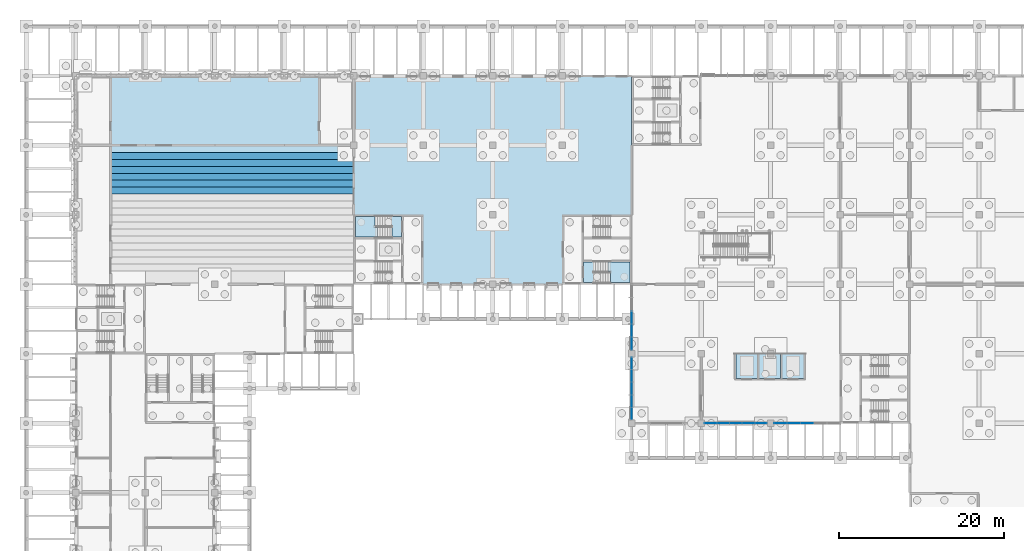
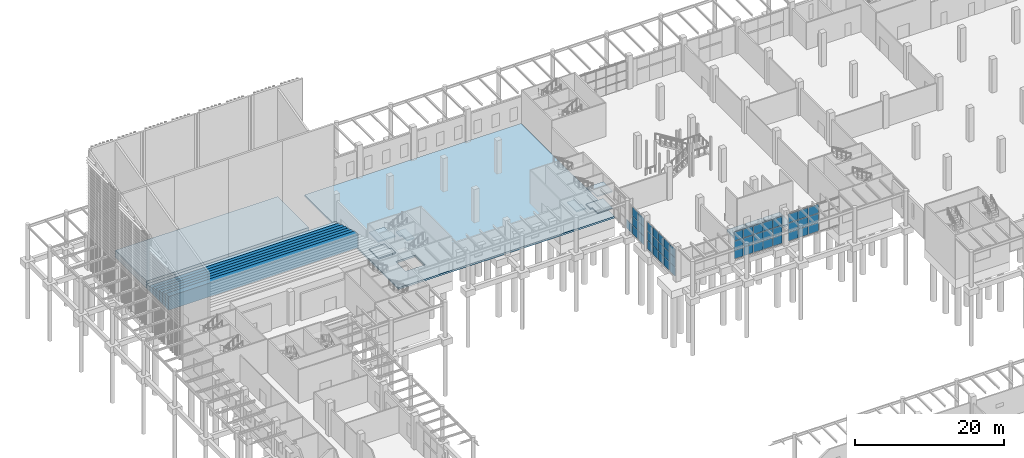
# One storey, part 22 of 82: 46 plates, 18 slabs, 6 elements without a shape of their own.
"""IFC4 building model written with IfcOpenShell, lengths in metres."""

from ifc_helpers import new_model, si_unit, direction, frame, origin, origin_2d, place, context, subcontext, project, spatial, polyline, rectangle, outline, extrude, material, layer, layer_set, type_object, element, aggregate, save


model = new_model("IFC4")

# Units and contexts
model_context = context("Model", 3, precision=1e-05, world=origin(), true_north=direction((0.0, 1.0)))
body_context = subcontext(model_context, "Body", "Model", "MODEL_VIEW")
ifc_project = project(units=[si_unit("LENGTHUNIT", "METRE"), si_unit("AREAUNIT", "SQUARE_METRE"), si_unit("VOLUMEUNIT", "CUBIC_METRE"), si_unit("PLANEANGLEUNIT", "RADIAN"), si_unit("MASSUNIT", "GRAM", prefix="KILO")], contexts=[model_context])

# Site, building, storey
site_placement = place(None, origin())
site = spatial("IfcSite", under=ifc_project, at=site_placement, CompositionType="ELEMENT")
building_placement = place(site_placement, origin())
building = spatial("IfcBuilding", under=site, at=building_placement, Name="Almond Square Museum", CompositionType="ELEMENT")
storey_placement = place(building_placement, origin())
storey = spatial("IfcBuildingStorey", under=building, at=storey_placement, Name="L00", CompositionType="ELEMENT", Elevation=0.0)

# Slabs
ifc_material_1 = material(Name="Concrete C35/45", Category="concrete")
ifc_layer_1 = layer(ifc_material_1, 0.25)
ifc_layer_set_1 = layer_set([ifc_layer_1], Name="Concrete C35/45")
slab_type_1 = type_object("IfcSlabType", Name="Auditorium tier 250 riser", PredefinedType="FLOOR", material=ifc_layer_set_1)
slab_1_placement = place(storey_placement, origin())
element("IfcSlab", 1, at=slab_1_placement, inside=storey, type_object=slab_type_1, Name="Auditorium tier 12", PredefinedType="FLOOR", context=body_context, shape_type="SweptSolid", body=[
    extrude(outline(polyline([(10.199951171875, 94.888916015625), (39.60009765625, 94.888916015625), (39.60009765625, 95.7333984375), (10.199951171875, 95.7333984375), (10.199951171875, 94.888916015625)])), origin(), (0.0, 0.0, 1.0), 2.25),
])
slab_2_placement = place(storey_placement, origin())
element("IfcSlab", 2, at=slab_2_placement, inside=storey, type_object=slab_type_1, Name="Auditorium tier 13", PredefinedType="FLOOR", context=body_context, shape_type="SweptSolid", body=[
    extrude(outline(polyline([(10.199951171875, 95.7333984375), (39.60009765625, 95.7333984375), (39.60009765625, 96.577880859375), (10.199951171875, 96.577880859375), (10.199951171875, 95.7333984375)])), origin(), (0.0, 0.0, 1.0), 2.0),
])
slab_3_placement = place(storey_placement, origin())
element("IfcSlab", 3, at=slab_3_placement, inside=storey, type_object=slab_type_1, Name="Auditorium tier 14", PredefinedType="FLOOR", context=body_context, shape_type="SweptSolid", body=[
    extrude(outline(polyline([(10.199951171875, 96.577880859375), (39.60009765625, 96.577880859375), (39.60009765625, 97.422119140625), (10.199951171875, 97.422119140625), (10.199951171875, 96.577880859375)])), origin(), (0.0, 0.0, 1.0), 1.75),
])
slab_4_placement = place(storey_placement, origin())
element("IfcSlab", 4, at=slab_4_placement, inside=storey, type_object=slab_type_1, Name="Auditorium tier 15", PredefinedType="FLOOR", context=body_context, shape_type="SweptSolid", body=[
    extrude(outline(polyline([(10.199951171875, 97.422119140625), (39.60009765625, 97.422119140625), (39.60009765625, 98.2666015625), (10.199951171875, 98.2666015625), (10.199951171875, 97.422119140625)])), origin(), (0.0, 0.0, 1.0), 1.5),
])
slab_5_placement = place(storey_placement, origin())
element("IfcSlab", 5, at=slab_5_placement, inside=storey, type_object=slab_type_1, Name="Auditorium tier 16", PredefinedType="FLOOR", context=body_context, shape_type="SweptSolid", body=[
    extrude(outline(polyline([(10.199951171875, 98.2666015625), (39.60009765625, 98.2666015625), (39.60009765625, 99.111083984375), (10.199951171875, 99.111083984375), (10.199951171875, 98.2666015625)])), origin(), (0.0, 0.0, 1.0), 1.25),
])
slab_6_placement = place(storey_placement, origin())
element("IfcSlab", 6, at=slab_6_placement, inside=storey, type_object=slab_type_1, Name="Auditorium tier 17", PredefinedType="FLOOR", context=body_context, shape_type="SweptSolid", body=[
    extrude(outline(polyline([(10.199951171875, 99.111083984375), (39.60009765625, 99.111083984375), (39.60009765625, 99.95556640625), (10.199951171875, 99.95556640625), (10.199951171875, 99.111083984375)])), origin(), (0.0, 0.0, 1.0), 1.0),
])
slab_7_placement = place(storey_placement, origin())
element("IfcSlab", 7, at=slab_7_placement, inside=storey, type_object=slab_type_1, Name="Auditorium tier 18", PredefinedType="FLOOR", context=body_context, shape_type="SweptSolid", body=[
    extrude(outline(polyline([(10.199951171875, 99.95556640625), (39.60009765625, 99.95556640625), (39.60009765625, 100.800048828125), (10.199951171875, 100.800048828125), (10.199951171875, 99.95556640625)])), origin(), (0.0, 0.0, 1.0), 0.75),
])

# Stair, slabs
ifc_material_2 = material(Name="Concrete C40/50", Category="concrete")
stair_type = type_object("IfcStairType", Name="Exit stair 32 risers of 172 mm", PredefinedType="HALF_TURN_STAIR", material=ifc_material_2)
stair_1_placement = place(storey_placement, origin())
stair_1 = element("IfcStair", 8, at=stair_1_placement, inside=storey, type_object=stair_type, Name="L00 stair N1-2", PredefinedType="HALF_TURN_STAIR")
ifc_material_3 = material(Name="Concrete C40/50", Category="concrete")
ifc_layer_2 = layer(ifc_material_3, 0.199951171875)
ifc_layer_set_2 = layer_set([ifc_layer_2], Name="Concrete C40/50")
slab_type_2 = type_object("IfcSlabType", Name="Concrete stair landing 200", PredefinedType="LANDING", material=ifc_layer_set_2)
slab_8_placement = place(storey_placement, frame((0.0, 0.0, 1.175048828125)))
slab_8 = element("IfcSlab", 9, at=slab_8_placement, type_object=slab_type_2, Name="ST-18 landing 1", PredefinedType="LANDING", context=body_context, shape_type="SweptSolid", body=[
    extrude(outline(polyline([(42.153076171875, 92.199951171875), (39.800048828125, 92.199951171875), (39.800048828125, 89.699951171875), (42.449951171875, 89.699951171875), (42.449951171875, 90.85009765625), (42.153076171875, 90.85009765625), (42.153076171875, 92.199951171875)])), origin(), (0.0, 0.0, 1.0), 0.199951171875),
])
slab_9_placement = place(storey_placement, frame((0.0, 0.0, 2.550048828125)))
slab_9 = element("IfcSlab", 10, at=slab_9_placement, type_object=slab_type_2, Name="ST-18 landing 2", PredefinedType="LANDING", context=body_context, shape_type="SweptSolid", body=[
    extrude(outline(polyline([(45.39990234375, 92.199951171875), (44.25, 92.199951171875), (43.949951171875, 92.199951171875), (43.949951171875, 91.050048828125), (44.2470703125, 91.050048828125), (44.2470703125, 89.699951171875), (45.39990234375, 89.699951171875), (45.39990234375, 92.199951171875)])), origin(), (0.0, 0.0, 1.0), 0.199951171875),
])
slab_10_placement = place(storey_placement, frame((0.0, 0.0, 3.925048828125)))
slab_10 = element("IfcSlab", 11, at=slab_10_placement, type_object=slab_type_2, Name="ST-18 landing 3", PredefinedType="LANDING", context=body_context, shape_type="SweptSolid", body=[
    extrude(outline(polyline([(42.153076171875, 92.199951171875), (39.800048828125, 92.199951171875), (39.800048828125, 89.699951171875), (42.449951171875, 89.699951171875), (42.449951171875, 90.85009765625), (42.153076171875, 90.85009765625), (42.153076171875, 92.199951171875)])), origin(), (0.0, 0.0, 1.0), 0.199951171875),
])
aggregate(stair_1, [slab_8, slab_9, slab_10])

stair_2_placement = place(storey_placement, origin())
stair_2 = element("IfcStair", 12, at=stair_2_placement, inside=storey, type_object=stair_type, Name="L00 stair N2-1", PredefinedType="HALF_TURN_STAIR")
slab_11_placement = place(storey_placement, frame((0.0, 0.0, 1.175048828125)))
slab_11 = element("IfcSlab", 13, at=slab_11_placement, type_object=slab_type_2, Name="ST-19 landing 1", PredefinedType="LANDING", context=body_context, shape_type="SweptSolid", body=[
    extrude(outline(polyline([(70.64697265625, 84.199951171875), (73.0, 84.199951171875), (73.0, 86.699951171875), (70.35009765625, 86.699951171875), (70.35009765625, 85.550048828125), (70.64697265625, 85.550048828125), (70.64697265625, 84.199951171875)])), origin(), (0.0, 0.0, 1.0), 0.199951171875),
])
slab_12_placement = place(storey_placement, frame((0.0, 0.0, 2.550048828125)))
slab_12 = element("IfcSlab", 14, at=slab_12_placement, type_object=slab_type_2, Name="ST-19 landing 2", PredefinedType="LANDING", context=body_context, shape_type="SweptSolid", body=[
    extrude(outline(polyline([(67.39990234375, 84.199951171875), (68.550048828125, 84.199951171875), (68.85009765625, 84.199951171875), (68.85009765625, 85.35009765625), (68.552978515625, 85.35009765625), (68.552978515625, 86.699951171875), (67.39990234375, 86.699951171875), (67.39990234375, 84.199951171875)])), origin(), (0.0, 0.0, 1.0), 0.199951171875),
])
slab_13_placement = place(storey_placement, frame((0.0, 0.0, 3.925048828125)))
slab_13 = element("IfcSlab", 15, at=slab_13_placement, type_object=slab_type_2, Name="ST-19 landing 3", PredefinedType="LANDING", context=body_context, shape_type="SweptSolid", body=[
    extrude(outline(polyline([(70.64697265625, 84.199951171875), (73.0, 84.199951171875), (73.0, 86.699951171875), (70.35009765625, 86.699951171875), (70.35009765625, 85.550048828125), (70.64697265625, 85.550048828125), (70.64697265625, 84.199951171875)])), origin(), (0.0, 0.0, 1.0), 0.199951171875),
])
aggregate(stair_2, [slab_11, slab_12, slab_13])

# Curtain wall, plates
ifc_material_4 = material(Name="Aluminium and laminated glass", Category="aluminium")
curtain_wall_type = type_object("IfcCurtainWallType", Name="Unitised curtain wall 1500 module", PredefinedType="NOTDEFINED", material=ifc_material_4)
curtain_wall_1_placement = place(storey_placement, origin())
curtain_wall_1 = element("IfcCurtainWall", 16, at=curtain_wall_1_placement, inside=storey, type_object=curtain_wall_type, Name="Curtain wall CW-01", PredefinedType="NOTDEFINED")
ifc_material_5 = material(Name="Laminated hurricane-rated glass", Category="glass")
ifc_layer_3 = layer(ifc_material_5, 0.035888671875)
ifc_layer_set_3 = layer_set([ifc_layer_3], Name="Laminated hurricane-rated glass")
plate_type = type_object("IfcPlateType", Name="Laminated glass panel 36", PredefinedType="CURTAIN_PANEL", material=ifc_layer_set_3)
plate_1_placement = place(storey_placement, frame((73.199951171875, 76.81494140625, 0.06005859375), z_axis=(0.0, 0.0, 1.0), x_axis=(0.0, 1.0, 0.0)))
plate_1 = element("IfcPlate", 17, at=plate_1_placement, type_object=plate_type, Name="CW-01 panel 1.1", PredefinedType="CURTAIN_PANEL", context=body_context, shape_type="SweptSolid", body=[
    extrude(rectangle(XDim=1.510009765625, YDim=0.035888671875, at=origin_2d()), origin(), (0.0, 0.0, 1.0), 1.4267578125),
])
plate_2_placement = place(storey_placement, frame((73.199951171875, 76.81494140625, 1.54638671875), z_axis=(0.0, 0.0, 1.0), x_axis=(0.0, 1.0, 0.0)))
plate_2 = element("IfcPlate", 18, at=plate_2_placement, type_object=plate_type, Name="CW-01 panel 1.2", PredefinedType="CURTAIN_PANEL", context=body_context, shape_type="SweptSolid", body=[
    extrude(rectangle(XDim=1.510009765625, YDim=0.035888671875, at=origin_2d()), origin(), (0.0, 0.0, 1.0), 1.456787109375),
])
plate_3_placement = place(storey_placement, frame((73.199951171875, 76.81494140625, 3.063232421875), z_axis=(0.0, 0.0, 1.0), x_axis=(0.0, 1.0, 0.0)))
plate_3 = element("IfcPlate", 19, at=plate_3_placement, type_object=plate_type, Name="CW-01 panel 1.3", PredefinedType="CURTAIN_PANEL", context=body_context, shape_type="SweptSolid", body=[
    extrude(rectangle(XDim=1.510009765625, YDim=0.035888671875, at=origin_2d()), origin(), (0.0, 0.0, 1.0), 1.4267578125),
])
plate_4_placement = place(storey_placement, frame((73.199951171875, 78.39990234375, 0.06005859375), z_axis=(0.0, 0.0, 1.0), x_axis=(0.0, 1.0, 0.0)))
plate_4 = element("IfcPlate", 20, at=plate_4_placement, type_object=plate_type, Name="CW-01 panel 2.1", PredefinedType="CURTAIN_PANEL", context=body_context, shape_type="SweptSolid", body=[
    extrude(rectangle(XDim=1.5400390625, YDim=0.035888671875, at=origin_2d()), origin(), (0.0, 0.0, 1.0), 1.4267578125),
])
plate_5_placement = place(storey_placement, frame((73.199951171875, 78.39990234375, 1.54638671875), z_axis=(0.0, 0.0, 1.0), x_axis=(0.0, 1.0, 0.0)))
plate_5 = element("IfcPlate", 21, at=plate_5_placement, type_object=plate_type, Name="CW-01 panel 2.2", PredefinedType="CURTAIN_PANEL", context=body_context, shape_type="SweptSolid", body=[
    extrude(rectangle(XDim=1.5400390625, YDim=0.035888671875, at=origin_2d()), origin(), (0.0, 0.0, 1.0), 1.456787109375),
])
plate_6_placement = place(storey_placement, frame((73.199951171875, 78.39990234375, 3.063232421875), z_axis=(0.0, 0.0, 1.0), x_axis=(0.0, 1.0, 0.0)))
plate_6 = element("IfcPlate", 22, at=plate_6_placement, type_object=plate_type, Name="CW-01 panel 2.3", PredefinedType="CURTAIN_PANEL", context=body_context, shape_type="SweptSolid", body=[
    extrude(rectangle(XDim=1.5400390625, YDim=0.035888671875, at=origin_2d()), origin(), (0.0, 0.0, 1.0), 1.4267578125),
])
plate_7_placement = place(storey_placement, frame((73.199951171875, 80.0, 0.06005859375), z_axis=(0.0, 0.0, 1.0), x_axis=(0.0, 1.0, 0.0)))
plate_7 = element("IfcPlate", 23, at=plate_7_placement, type_object=plate_type, Name="CW-01 panel 3.1", PredefinedType="CURTAIN_PANEL", context=body_context, shape_type="SweptSolid", body=[
    extrude(rectangle(XDim=1.5400390625, YDim=0.035888671875, at=origin_2d()), origin(), (0.0, 0.0, 1.0), 1.4267578125),
])
aggregate(curtain_wall_1, [plate_1, plate_2, plate_3, plate_4, plate_5, plate_6, plate_7])

curtain_wall_2_placement = place(storey_placement, origin())
curtain_wall_2 = element("IfcCurtainWall", 24, at=curtain_wall_2_placement, inside=storey, type_object=curtain_wall_type, Name="Curtain wall CW-02", PredefinedType="NOTDEFINED")
plate_8_placement = place(storey_placement, frame((73.199951171875, 68.375, 0.06005859375), z_axis=(0.0, 0.0, 1.0), x_axis=(0.0, 1.0, 0.0)))
plate_8 = element("IfcPlate", 25, at=plate_8_placement, type_object=plate_type, Name="CW-02 panel 1.1", PredefinedType="CURTAIN_PANEL", context=body_context, shape_type="SweptSolid", body=[
    extrude(rectangle(XDim=1.429931640625, YDim=0.035888671875, at=origin_2d()), origin(), (0.0, 0.0, 1.0), 1.4267578125),
])
plate_9_placement = place(storey_placement, frame((73.199951171875, 68.375, 1.54638671875), z_axis=(0.0, 0.0, 1.0), x_axis=(0.0, 1.0, 0.0)))
plate_9 = element("IfcPlate", 26, at=plate_9_placement, type_object=plate_type, Name="CW-02 panel 1.2", PredefinedType="CURTAIN_PANEL", context=body_context, shape_type="SweptSolid", body=[
    extrude(rectangle(XDim=1.429931640625, YDim=0.035888671875, at=origin_2d()), origin(), (0.0, 0.0, 1.0), 1.456787109375),
])
plate_10_placement = place(storey_placement, frame((73.199951171875, 68.375, 3.063232421875), z_axis=(0.0, 0.0, 1.0), x_axis=(0.0, 1.0, 0.0)))
plate_10 = element("IfcPlate", 27, at=plate_10_placement, type_object=plate_type, Name="CW-02 panel 1.3", PredefinedType="CURTAIN_PANEL", context=body_context, shape_type="SweptSolid", body=[
    extrude(rectangle(XDim=1.429931640625, YDim=0.035888671875, at=origin_2d()), origin(), (0.0, 0.0, 1.0), 1.4267578125),
])
plate_11_placement = place(storey_placement, frame((73.199951171875, 69.8798828125, 0.06005859375), z_axis=(0.0, 0.0, 1.0), x_axis=(0.0, 1.0, 0.0)))
plate_11 = element("IfcPlate", 28, at=plate_11_placement, type_object=plate_type, Name="CW-02 panel 2.1", PredefinedType="CURTAIN_PANEL", context=body_context, shape_type="SweptSolid", body=[
    extrude(rectangle(XDim=1.4599609375, YDim=0.035888671875, at=origin_2d()), origin(), (0.0, 0.0, 1.0), 1.4267578125),
])
plate_12_placement = place(storey_placement, frame((73.199951171875, 69.8798828125, 1.54638671875), z_axis=(0.0, 0.0, 1.0), x_axis=(0.0, 1.0, 0.0)))
plate_12 = element("IfcPlate", 29, at=plate_12_placement, type_object=plate_type, Name="CW-02 panel 2.2", PredefinedType="CURTAIN_PANEL", context=body_context, shape_type="SweptSolid", body=[
    extrude(rectangle(XDim=1.4599609375, YDim=0.035888671875, at=origin_2d()), origin(), (0.0, 0.0, 1.0), 1.456787109375),
])
plate_13_placement = place(storey_placement, frame((73.199951171875, 69.8798828125, 3.063232421875), z_axis=(0.0, 0.0, 1.0), x_axis=(0.0, 1.0, 0.0)))
plate_13 = element("IfcPlate", 30, at=plate_13_placement, type_object=plate_type, Name="CW-02 panel 2.3", PredefinedType="CURTAIN_PANEL", context=body_context, shape_type="SweptSolid", body=[
    extrude(rectangle(XDim=1.4599609375, YDim=0.035888671875, at=origin_2d()), origin(), (0.0, 0.0, 1.0), 1.4267578125),
])
plate_14_placement = place(storey_placement, frame((73.199951171875, 71.39990234375, 0.06005859375), z_axis=(0.0, 0.0, 1.0), x_axis=(0.0, 1.0, 0.0)))
plate_14 = element("IfcPlate", 31, at=plate_14_placement, type_object=plate_type, Name="CW-02 panel 3.1", PredefinedType="CURTAIN_PANEL", context=body_context, shape_type="SweptSolid", body=[
    extrude(rectangle(XDim=1.4599609375, YDim=0.035888671875, at=origin_2d()), origin(), (0.0, 0.0, 1.0), 1.4267578125),
])
plate_15_placement = place(storey_placement, frame((73.199951171875, 71.39990234375, 1.54638671875), z_axis=(0.0, 0.0, 1.0), x_axis=(0.0, 1.0, 0.0)))
plate_15 = element("IfcPlate", 32, at=plate_15_placement, type_object=plate_type, Name="CW-02 panel 3.2", PredefinedType="CURTAIN_PANEL", context=body_context, shape_type="SweptSolid", body=[
    extrude(rectangle(XDim=1.4599609375, YDim=0.035888671875, at=origin_2d()), origin(), (0.0, 0.0, 1.0), 1.456787109375),
])
plate_16_placement = place(storey_placement, frame((73.199951171875, 71.39990234375, 3.063232421875), z_axis=(0.0, 0.0, 1.0), x_axis=(0.0, 1.0, 0.0)))
plate_16 = element("IfcPlate", 33, at=plate_16_placement, type_object=plate_type, Name="CW-02 panel 3.3", PredefinedType="CURTAIN_PANEL", context=body_context, shape_type="SweptSolid", body=[
    extrude(rectangle(XDim=1.4599609375, YDim=0.035888671875, at=origin_2d()), origin(), (0.0, 0.0, 1.0), 1.4267578125),
])
plate_17_placement = place(storey_placement, frame((73.199951171875, 72.919921875, 0.06005859375), z_axis=(0.0, 0.0, 1.0), x_axis=(0.0, 1.0, 0.0)))
plate_17 = element("IfcPlate", 34, at=plate_17_placement, type_object=plate_type, Name="CW-02 panel 4.1", PredefinedType="CURTAIN_PANEL", context=body_context, shape_type="SweptSolid", body=[
    extrude(rectangle(XDim=1.4599609375, YDim=0.035888671875, at=origin_2d()), origin(), (0.0, 0.0, 1.0), 1.4267578125),
])
plate_18_placement = place(storey_placement, frame((73.199951171875, 72.919921875, 1.54638671875), z_axis=(0.0, 0.0, 1.0), x_axis=(0.0, 1.0, 0.0)))
plate_18 = element("IfcPlate", 35, at=plate_18_placement, type_object=plate_type, Name="CW-02 panel 4.2", PredefinedType="CURTAIN_PANEL", context=body_context, shape_type="SweptSolid", body=[
    extrude(rectangle(XDim=1.4599609375, YDim=0.035888671875, at=origin_2d()), origin(), (0.0, 0.0, 1.0), 1.456787109375),
])
plate_19_placement = place(storey_placement, frame((73.199951171875, 72.919921875, 3.063232421875), z_axis=(0.0, 0.0, 1.0), x_axis=(0.0, 1.0, 0.0)))
plate_19 = element("IfcPlate", 36, at=plate_19_placement, type_object=plate_type, Name="CW-02 panel 4.3", PredefinedType="CURTAIN_PANEL", context=body_context, shape_type="SweptSolid", body=[
    extrude(rectangle(XDim=1.4599609375, YDim=0.035888671875, at=origin_2d()), origin(), (0.0, 0.0, 1.0), 1.4267578125),
])
plate_20_placement = place(storey_placement, frame((73.199951171875, 74.425048828125, 0.06005859375), z_axis=(0.0, 0.0, 1.0), x_axis=(0.0, 1.0, 0.0)))
plate_20 = element("IfcPlate", 37, at=plate_20_placement, type_object=plate_type, Name="CW-02 panel 5.1", PredefinedType="CURTAIN_PANEL", context=body_context, shape_type="SweptSolid", body=[
    extrude(rectangle(XDim=1.429931640625, YDim=0.035888671875, at=origin_2d()), origin(), (0.0, 0.0, 1.0), 1.4267578125),
])
plate_21_placement = place(storey_placement, frame((73.199951171875, 74.425048828125, 1.54638671875), z_axis=(0.0, 0.0, 1.0), x_axis=(0.0, 1.0, 0.0)))
plate_21 = element("IfcPlate", 38, at=plate_21_placement, type_object=plate_type, Name="CW-02 panel 5.2", PredefinedType="CURTAIN_PANEL", context=body_context, shape_type="SweptSolid", body=[
    extrude(rectangle(XDim=1.429931640625, YDim=0.035888671875, at=origin_2d()), origin(), (0.0, 0.0, 1.0), 1.456787109375),
])
plate_22_placement = place(storey_placement, frame((73.199951171875, 74.425048828125, 3.063232421875), z_axis=(0.0, 0.0, 1.0), x_axis=(0.0, 1.0, 0.0)))
plate_22 = element("IfcPlate", 39, at=plate_22_placement, type_object=plate_type, Name="CW-02 panel 5.3", PredefinedType="CURTAIN_PANEL", context=body_context, shape_type="SweptSolid", body=[
    extrude(rectangle(XDim=1.429931640625, YDim=0.035888671875, at=origin_2d()), origin(), (0.0, 0.0, 1.0), 1.4267578125),
])
aggregate(curtain_wall_2, [plate_8, plate_9, plate_10, plate_11, plate_12, plate_13, plate_14, plate_15, plate_16, plate_17, plate_18, plate_19, plate_20, plate_21, plate_22])

curtain_wall_3_placement = place(storey_placement, origin())
curtain_wall_3 = element("IfcCurtainWall", 40, at=curtain_wall_3_placement, inside=storey, type_object=curtain_wall_type, Name="Curtain wall CW-03", PredefinedType="NOTDEFINED")
plate_23_placement = place(storey_placement, frame((82.77490234375, 67.199951171875, 0.06005859375), z_axis=(0.0, 0.0, 1.0), x_axis=(1.0, 0.0, 0.0)))
plate_23 = element("IfcPlate", 41, at=plate_23_placement, type_object=plate_type, Name="CW-03 panel 1.1", PredefinedType="CURTAIN_PANEL", context=body_context, shape_type="SweptSolid", body=[
    extrude(rectangle(XDim=1.429931640625, YDim=0.035888671875, at=origin_2d()), origin(), (0.0, 0.0, 1.0), 1.4267578125),
])
plate_24_placement = place(storey_placement, frame((82.77490234375, 67.199951171875, 1.54638671875), z_axis=(0.0, 0.0, 1.0), x_axis=(1.0, 0.0, 0.0)))
plate_24 = element("IfcPlate", 42, at=plate_24_placement, type_object=plate_type, Name="CW-03 panel 1.2", PredefinedType="CURTAIN_PANEL", context=body_context, shape_type="SweptSolid", body=[
    extrude(rectangle(XDim=1.429931640625, YDim=0.035888671875, at=origin_2d()), origin(), (0.0, 0.0, 1.0), 1.456787109375),
])
plate_25_placement = place(storey_placement, frame((82.77490234375, 67.199951171875, 3.063232421875), z_axis=(0.0, 0.0, 1.0), x_axis=(1.0, 0.0, 0.0)))
plate_25 = element("IfcPlate", 43, at=plate_25_placement, type_object=plate_type, Name="CW-03 panel 1.3", PredefinedType="CURTAIN_PANEL", context=body_context, shape_type="SweptSolid", body=[
    extrude(rectangle(XDim=1.429931640625, YDim=0.035888671875, at=origin_2d()), origin(), (0.0, 0.0, 1.0), 1.4267578125),
])
plate_26_placement = place(storey_placement, frame((84.280029296875, 67.199951171875, 0.06005859375), z_axis=(0.0, 0.0, 1.0), x_axis=(1.0, 0.0, 0.0)))
plate_26 = element("IfcPlate", 44, at=plate_26_placement, type_object=plate_type, Name="CW-03 panel 2.1", PredefinedType="CURTAIN_PANEL", context=body_context, shape_type="SweptSolid", body=[
    extrude(rectangle(XDim=1.4599609375, YDim=0.035888671875, at=origin_2d()), origin(), (0.0, 0.0, 1.0), 1.4267578125),
])
plate_27_placement = place(storey_placement, frame((84.280029296875, 67.199951171875, 1.54638671875), z_axis=(0.0, 0.0, 1.0), x_axis=(1.0, 0.0, 0.0)))
plate_27 = element("IfcPlate", 45, at=plate_27_placement, type_object=plate_type, Name="CW-03 panel 2.2", PredefinedType="CURTAIN_PANEL", context=body_context, shape_type="SweptSolid", body=[
    extrude(rectangle(XDim=1.4599609375, YDim=0.035888671875, at=origin_2d()), origin(), (0.0, 0.0, 1.0), 1.456787109375),
])
plate_28_placement = place(storey_placement, frame((84.280029296875, 67.199951171875, 3.063232421875), z_axis=(0.0, 0.0, 1.0), x_axis=(1.0, 0.0, 0.0)))
plate_28 = element("IfcPlate", 46, at=plate_28_placement, type_object=plate_type, Name="CW-03 panel 2.3", PredefinedType="CURTAIN_PANEL", context=body_context, shape_type="SweptSolid", body=[
    extrude(rectangle(XDim=1.4599609375, YDim=0.035888671875, at=origin_2d()), origin(), (0.0, 0.0, 1.0), 1.4267578125),
])
plate_29_placement = place(storey_placement, frame((85.800048828125, 67.199951171875, 0.06005859375), z_axis=(0.0, 0.0, 1.0), x_axis=(1.0, 0.0, 0.0)))
plate_29 = element("IfcPlate", 47, at=plate_29_placement, type_object=plate_type, Name="CW-03 panel 3.1", PredefinedType="CURTAIN_PANEL", context=body_context, shape_type="SweptSolid", body=[
    extrude(rectangle(XDim=1.4599609375, YDim=0.035888671875, at=origin_2d()), origin(), (0.0, 0.0, 1.0), 1.4267578125),
])
plate_30_placement = place(storey_placement, frame((85.800048828125, 67.199951171875, 1.54638671875), z_axis=(0.0, 0.0, 1.0), x_axis=(1.0, 0.0, 0.0)))
plate_30 = element("IfcPlate", 48, at=plate_30_placement, type_object=plate_type, Name="CW-03 panel 3.2", PredefinedType="CURTAIN_PANEL", context=body_context, shape_type="SweptSolid", body=[
    extrude(rectangle(XDim=1.4599609375, YDim=0.035888671875, at=origin_2d()), origin(), (0.0, 0.0, 1.0), 1.456787109375),
])
plate_31_placement = place(storey_placement, frame((85.800048828125, 67.199951171875, 3.063232421875), z_axis=(0.0, 0.0, 1.0), x_axis=(1.0, 0.0, 0.0)))
plate_31 = element("IfcPlate", 49, at=plate_31_placement, type_object=plate_type, Name="CW-03 panel 3.3", PredefinedType="CURTAIN_PANEL", context=body_context, shape_type="SweptSolid", body=[
    extrude(rectangle(XDim=1.4599609375, YDim=0.035888671875, at=origin_2d()), origin(), (0.0, 0.0, 1.0), 1.4267578125),
])
plate_32_placement = place(storey_placement, frame((87.320068359375, 67.199951171875, 0.06005859375), z_axis=(0.0, 0.0, 1.0), x_axis=(1.0, 0.0, 0.0)))
plate_32 = element("IfcPlate", 50, at=plate_32_placement, type_object=plate_type, Name="CW-03 panel 4.1", PredefinedType="CURTAIN_PANEL", context=body_context, shape_type="SweptSolid", body=[
    extrude(rectangle(XDim=1.4599609375, YDim=0.035888671875, at=origin_2d()), origin(), (0.0, 0.0, 1.0), 1.4267578125),
])
plate_33_placement = place(storey_placement, frame((87.320068359375, 67.199951171875, 1.54638671875), z_axis=(0.0, 0.0, 1.0), x_axis=(1.0, 0.0, 0.0)))
plate_33 = element("IfcPlate", 51, at=plate_33_placement, type_object=plate_type, Name="CW-03 panel 4.2", PredefinedType="CURTAIN_PANEL", context=body_context, shape_type="SweptSolid", body=[
    extrude(rectangle(XDim=1.4599609375, YDim=0.035888671875, at=origin_2d()), origin(), (0.0, 0.0, 1.0), 1.456787109375),
])
plate_34_placement = place(storey_placement, frame((87.320068359375, 67.199951171875, 3.063232421875), z_axis=(0.0, 0.0, 1.0), x_axis=(1.0, 0.0, 0.0)))
plate_34 = element("IfcPlate", 52, at=plate_34_placement, type_object=plate_type, Name="CW-03 panel 4.3", PredefinedType="CURTAIN_PANEL", context=body_context, shape_type="SweptSolid", body=[
    extrude(rectangle(XDim=1.4599609375, YDim=0.035888671875, at=origin_2d()), origin(), (0.0, 0.0, 1.0), 1.4267578125),
])
plate_35_placement = place(storey_placement, frame((88.824951171875, 67.199951171875, 0.06005859375), z_axis=(0.0, 0.0, 1.0), x_axis=(1.0, 0.0, 0.0)))
plate_35 = element("IfcPlate", 53, at=plate_35_placement, type_object=plate_type, Name="CW-03 panel 5.1", PredefinedType="CURTAIN_PANEL", context=body_context, shape_type="SweptSolid", body=[
    extrude(rectangle(XDim=1.429931640625, YDim=0.035888671875, at=origin_2d()), origin(), (0.0, 0.0, 1.0), 1.4267578125),
])
plate_36_placement = place(storey_placement, frame((88.824951171875, 67.199951171875, 1.54638671875), z_axis=(0.0, 0.0, 1.0), x_axis=(1.0, 0.0, 0.0)))
plate_36 = element("IfcPlate", 54, at=plate_36_placement, type_object=plate_type, Name="CW-03 panel 5.2", PredefinedType="CURTAIN_PANEL", context=body_context, shape_type="SweptSolid", body=[
    extrude(rectangle(XDim=1.429931640625, YDim=0.035888671875, at=origin_2d()), origin(), (0.0, 0.0, 1.0), 1.456787109375),
])
plate_37_placement = place(storey_placement, frame((88.824951171875, 67.199951171875, 3.063232421875), z_axis=(0.0, 0.0, 1.0), x_axis=(1.0, 0.0, 0.0)))
plate_37 = element("IfcPlate", 55, at=plate_37_placement, type_object=plate_type, Name="CW-03 panel 5.3", PredefinedType="CURTAIN_PANEL", context=body_context, shape_type="SweptSolid", body=[
    extrude(rectangle(XDim=1.429931640625, YDim=0.035888671875, at=origin_2d()), origin(), (0.0, 0.0, 1.0), 1.4267578125),
])
aggregate(curtain_wall_3, [plate_23, plate_24, plate_25, plate_26, plate_27, plate_28, plate_29, plate_30, plate_31, plate_32, plate_33, plate_34, plate_35, plate_36, plate_37])

curtain_wall_4_placement = place(storey_placement, origin())
curtain_wall_4 = element("IfcCurtainWall", 56, at=curtain_wall_4_placement, inside=storey, type_object=curtain_wall_type, Name="Curtain wall CW-04", PredefinedType="NOTDEFINED")
plate_38_placement = place(storey_placement, frame((91.215087890625, 67.199951171875, 0.06005859375), z_axis=(0.0, 0.0, 1.0), x_axis=(1.0, 0.0, 0.0)))
plate_38 = element("IfcPlate", 57, at=plate_38_placement, type_object=plate_type, Name="CW-04 panel 1.1", PredefinedType="CURTAIN_PANEL", context=body_context, shape_type="SweptSolid", body=[
    extrude(rectangle(XDim=1.510009765625, YDim=0.035888671875, at=origin_2d()), origin(), (0.0, 0.0, 1.0), 1.4267578125),
])
plate_39_placement = place(storey_placement, frame((91.215087890625, 67.199951171875, 1.54638671875), z_axis=(0.0, 0.0, 1.0), x_axis=(1.0, 0.0, 0.0)))
plate_39 = element("IfcPlate", 58, at=plate_39_placement, type_object=plate_type, Name="CW-04 panel 1.2", PredefinedType="CURTAIN_PANEL", context=body_context, shape_type="SweptSolid", body=[
    extrude(rectangle(XDim=1.510009765625, YDim=0.035888671875, at=origin_2d()), origin(), (0.0, 0.0, 1.0), 1.456787109375),
])
plate_40_placement = place(storey_placement, frame((91.215087890625, 67.199951171875, 3.063232421875), z_axis=(0.0, 0.0, 1.0), x_axis=(1.0, 0.0, 0.0)))
plate_40 = element("IfcPlate", 59, at=plate_40_placement, type_object=plate_type, Name="CW-04 panel 1.3", PredefinedType="CURTAIN_PANEL", context=body_context, shape_type="SweptSolid", body=[
    extrude(rectangle(XDim=1.510009765625, YDim=0.035888671875, at=origin_2d()), origin(), (0.0, 0.0, 1.0), 1.4267578125),
])
plate_41_placement = place(storey_placement, frame((92.800048828125, 67.199951171875, 0.06005859375), z_axis=(0.0, 0.0, 1.0), x_axis=(1.0, 0.0, 0.0)))
plate_41 = element("IfcPlate", 60, at=plate_41_placement, type_object=plate_type, Name="CW-04 panel 2.1", PredefinedType="CURTAIN_PANEL", context=body_context, shape_type="SweptSolid", body=[
    extrude(rectangle(XDim=1.5400390625, YDim=0.035888671875, at=origin_2d()), origin(), (0.0, 0.0, 1.0), 1.4267578125),
])
plate_42_placement = place(storey_placement, frame((92.800048828125, 67.199951171875, 1.54638671875), z_axis=(0.0, 0.0, 1.0), x_axis=(1.0, 0.0, 0.0)))
plate_42 = element("IfcPlate", 61, at=plate_42_placement, type_object=plate_type, Name="CW-04 panel 2.2", PredefinedType="CURTAIN_PANEL", context=body_context, shape_type="SweptSolid", body=[
    extrude(rectangle(XDim=1.5400390625, YDim=0.035888671875, at=origin_2d()), origin(), (0.0, 0.0, 1.0), 1.456787109375),
])
plate_43_placement = place(storey_placement, frame((92.800048828125, 67.199951171875, 3.063232421875), z_axis=(0.0, 0.0, 1.0), x_axis=(1.0, 0.0, 0.0)))
plate_43 = element("IfcPlate", 62, at=plate_43_placement, type_object=plate_type, Name="CW-04 panel 2.3", PredefinedType="CURTAIN_PANEL", context=body_context, shape_type="SweptSolid", body=[
    extrude(rectangle(XDim=1.5400390625, YDim=0.035888671875, at=origin_2d()), origin(), (0.0, 0.0, 1.0), 1.4267578125),
])
plate_44_placement = place(storey_placement, frame((94.39990234375, 67.199951171875, 0.06005859375), z_axis=(0.0, 0.0, 1.0), x_axis=(1.0, 0.0, 0.0)))
plate_44 = element("IfcPlate", 63, at=plate_44_placement, type_object=plate_type, Name="CW-04 panel 3.1", PredefinedType="CURTAIN_PANEL", context=body_context, shape_type="SweptSolid", body=[
    extrude(rectangle(XDim=1.5400390625, YDim=0.035888671875, at=origin_2d()), origin(), (0.0, 0.0, 1.0), 1.4267578125),
])
plate_45_placement = place(storey_placement, frame((94.39990234375, 67.199951171875, 1.54638671875), z_axis=(0.0, 0.0, 1.0), x_axis=(1.0, 0.0, 0.0)))
plate_45 = element("IfcPlate", 64, at=plate_45_placement, type_object=plate_type, Name="CW-04 panel 3.2", PredefinedType="CURTAIN_PANEL", context=body_context, shape_type="SweptSolid", body=[
    extrude(rectangle(XDim=1.5400390625, YDim=0.035888671875, at=origin_2d()), origin(), (0.0, 0.0, 1.0), 1.456787109375),
])
plate_46_placement = place(storey_placement, frame((94.39990234375, 67.199951171875, 3.063232421875), z_axis=(0.0, 0.0, 1.0), x_axis=(1.0, 0.0, 0.0)))
plate_46 = element("IfcPlate", 65, at=plate_46_placement, type_object=plate_type, Name="CW-04 panel 3.3", PredefinedType="CURTAIN_PANEL", context=body_context, shape_type="SweptSolid", body=[
    extrude(rectangle(XDim=1.5400390625, YDim=0.035888671875, at=origin_2d()), origin(), (0.0, 0.0, 1.0), 1.4267578125),
])
aggregate(curtain_wall_4, [plate_38, plate_39, plate_40, plate_41, plate_42, plate_43, plate_44, plate_45, plate_46])

# Slabs
ifc_material_6 = material(Name="Concrete C35/45", Category="concrete")
ifc_layer_4 = layer(ifc_material_6, 0.300048828125)
ifc_layer_set_4 = layer_set([ifc_layer_4], Name="Concrete C35/45")
slab_type_3 = type_object("IfcSlabType", Name="RC ground slab 300 C35/45", PredefinedType="BASESLAB", material=ifc_layer_set_4)
slab_14_placement = place(storey_placement, frame((0.0, 0.0, -0.300048828125)))
element("IfcSlab", 66, at=slab_14_placement, inside=storey, type_object=slab_type_3, Name="Ground slab V4N", PredefinedType="BASESLAB", context=body_context, shape_type="SweptSolid", body=[
    extrude(outline(polyline([(39.60009765625, 100.800048828125), (39.60009765625, 109.199951171875), (73.199951171875, 109.199951171875), (73.199951171875, 84.0), (39.60009765625, 84.0), (39.60009765625, 100.800048828125)]), holes=[polyline([(45.39990234375, 89.5), (42.39990234375, 89.5), (42.39990234375, 86.89990234375), (45.39990234375, 86.89990234375), (45.39990234375, 89.5)])]), origin(), (0.0, 0.0, 1.0), 0.300048828125),
])
ifc_material_7 = material(Name="Concrete C35/45", Category="concrete")
ifc_layer_5 = layer(ifc_material_7, 0.300048828125)
ifc_layer_set_5 = layer_set([ifc_layer_5], Name="Concrete C35/45")
slab_type_4 = type_object("IfcSlabType", Name="RC lift pit slab 300 C35/45", PredefinedType="BASESLAB", material=ifc_layer_set_5)
slab_15_placement = place(storey_placement, frame((0.0, 0.0, -1.800048828125)))
element("IfcSlab", 67, at=slab_15_placement, inside=storey, type_object=slab_type_4, Name="Lift pit floor AL1", PredefinedType="BASESLAB", context=body_context, shape_type="SweptSolid", body=[
    extrude(outline(polyline([(85.800048828125, 72.60009765625), (88.39990234375, 72.60009765625), (88.39990234375, 75.60009765625), (85.800048828125, 75.60009765625), (85.800048828125, 72.60009765625)])), origin(), (0.0, 0.0, 1.0), 0.300048828125),
])
slab_16_placement = place(storey_placement, frame((0.0, 0.0, -1.800048828125)))
element("IfcSlab", 68, at=slab_16_placement, inside=storey, type_object=slab_type_4, Name="Lift pit floor AL2", PredefinedType="BASESLAB", context=body_context, shape_type="SweptSolid", body=[
    extrude(outline(polyline([(88.60009765625, 72.60009765625), (91.199951171875, 72.60009765625), (91.199951171875, 75.60009765625), (88.60009765625, 75.60009765625), (88.60009765625, 72.60009765625)])), origin(), (0.0, 0.0, 1.0), 0.300048828125),
])
slab_17_placement = place(storey_placement, frame((0.0, 0.0, -1.800048828125)))
element("IfcSlab", 69, at=slab_17_placement, inside=storey, type_object=slab_type_4, Name="Lift pit floor AL3", PredefinedType="BASESLAB", context=body_context, shape_type="SweptSolid", body=[
    extrude(outline(polyline([(91.39990234375, 72.60009765625), (94.0, 72.60009765625), (94.0, 75.60009765625), (91.39990234375, 75.60009765625), (91.39990234375, 72.60009765625)])), origin(), (0.0, 0.0, 1.0), 0.300048828125),
])
ifc_material_8 = material(Name="Concrete C35/45", Category="concrete")
ifc_layer_6 = layer(ifc_material_8, 1.199951171875)
ifc_layer_set_6 = layer_set([ifc_layer_6], Name="Concrete C35/45")
slab_type_5 = type_object("IfcSlabType", Name="Stage deck", PredefinedType="FLOOR", material=ifc_layer_set_6)
slab_18_placement = place(storey_placement, origin())
element("IfcSlab", 70, at=slab_18_placement, inside=storey, type_object=slab_type_5, Name="Stage deck", PredefinedType="FLOOR", context=body_context, shape_type="SweptSolid", body=[
    extrude(outline(polyline([(10.199951171875, 100.800048828125), (35.39990234375, 100.800048828125), (35.39990234375, 109.199951171875), (10.199951171875, 109.199951171875), (10.199951171875, 100.800048828125)])), origin(), (0.0, 0.0, 1.0), 1.199951171875),
])

save(model, "model.ifc")
